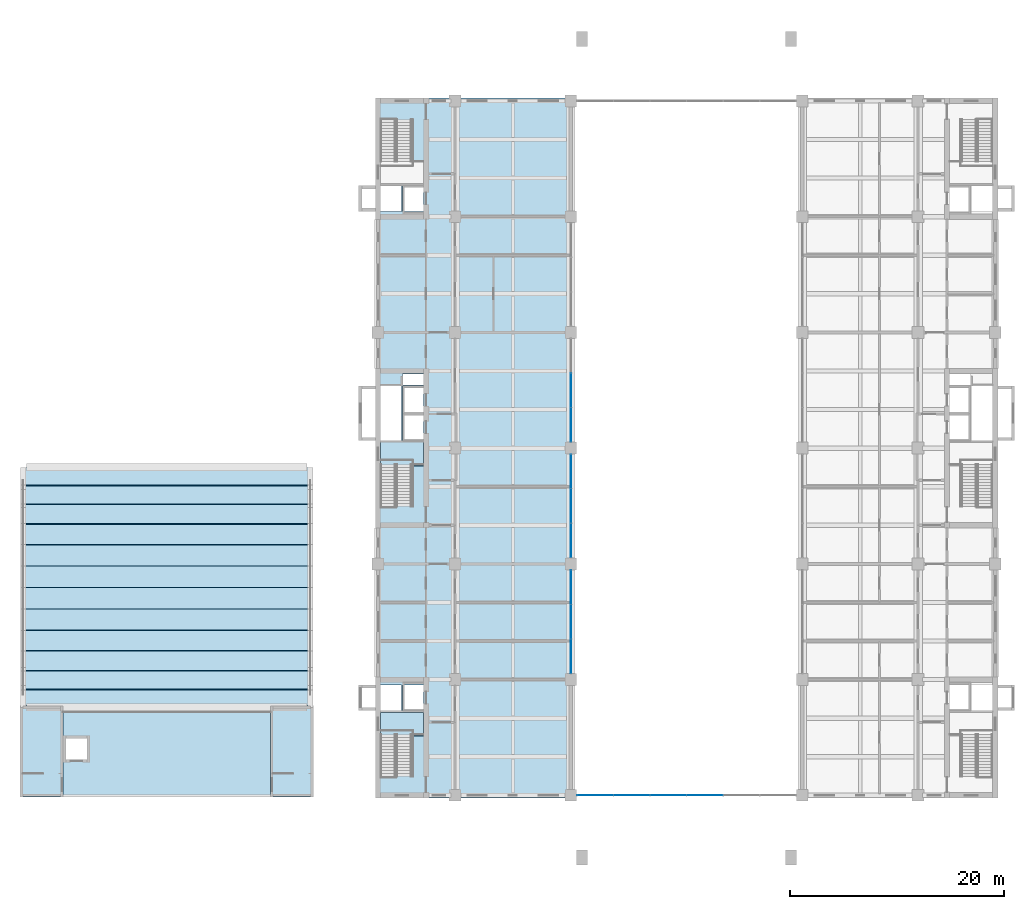
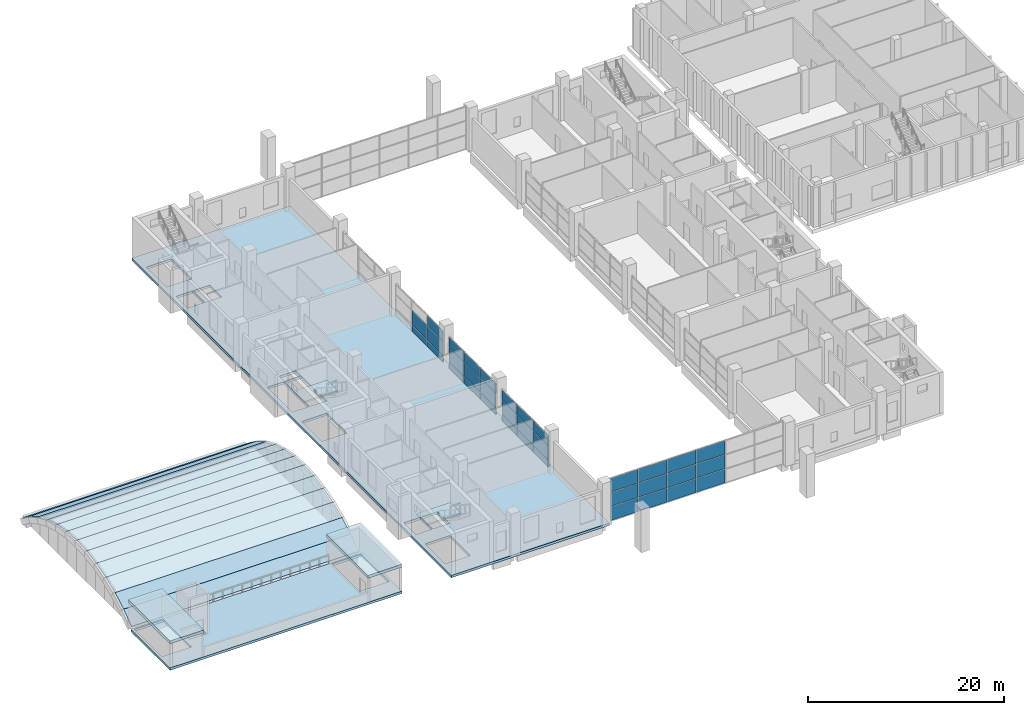
# One storey, part 13 of 32: 35 plates, 18 slabs, 6 elements without a shape of their own.
"""IFC4 building model written with IfcOpenShell, lengths in metres."""

from ifc_helpers import new_model, si_unit, direction, frame, origin, origin_2d, place, context, subcontext, project, spatial, polyline, rectangle, outline, extrude, material, layer, layer_set, type_object, element, aggregate, save


model = new_model("IFC4")

# Units and contexts
model_context = context("Model", 3, precision=1e-05, world=origin(), true_north=direction((0.0, 1.0)))
body_context = subcontext(model_context, "Body", "Model", "MODEL_VIEW")
ifc_project = project(units=[si_unit("LENGTHUNIT", "METRE"), si_unit("AREAUNIT", "SQUARE_METRE"), si_unit("VOLUMEUNIT", "CUBIC_METRE"), si_unit("PLANEANGLEUNIT", "RADIAN"), si_unit("MASSUNIT", "GRAM", prefix="KILO")], contexts=[model_context])

# Site, building, storey
site_placement = place(None, origin())
site = spatial("IfcSite", under=ifc_project, at=site_placement, CompositionType="ELEMENT")
building_placement = place(site_placement, origin())
building = spatial("IfcBuilding", under=site, at=building_placement, Name="Basin Gate Institute", CompositionType="ELEMENT")
storey_placement = place(building_placement, frame((0.0, 0.0, 11.39990234375)))
storey = spatial("IfcBuildingStorey", under=building, at=storey_placement, Name="L02", CompositionType="ELEMENT", Elevation=11.39990234375)

# Curtain wall, plates
ifc_material_1 = material(Name="Aluminium and glass curtain wall", Category="aluminium")
ifc_layer_1 = layer(ifc_material_1, 0.14990234375)
ifc_layer_set_1 = layer_set([ifc_layer_1], Name="Atrium curtain wall CW81")
curtain_wall_type_1 = type_object("IfcCurtainWallType", Name="Atrium curtain wall CW81", PredefinedType="NOTDEFINED", material=ifc_layer_set_1)
curtain_wall_1_placement = place(storey_placement, origin())
curtain_wall_1 = element("IfcCurtainWall", 1, at=curtain_wall_1_placement, inside=storey, type_object=curtain_wall_type_1, material=ifc_layer_set_1, Name="Atrium end screen S L02", PredefinedType="NOTDEFINED")
ifc_material_2 = material(Name="Toughened glass", Category="glass")
ifc_layer_2 = layer(ifc_material_2, 0.028076171875)
ifc_layer_set_2 = layer_set([ifc_layer_2], Name="Atrium glass panel PN81")
plate_type_1 = type_object("IfcPlateType", Name="Atrium glass panel PN81", PredefinedType="CURTAIN_PANEL", material=ifc_layer_set_2)
plate_1_placement = place(storey_placement, frame((81.473388671875, 35.10009765625, 0.06005859375), z_axis=(0.0, 0.0, 1.0), x_axis=(1.0, 0.0, 0.0)))
plate_1 = element("IfcPlate", 2, at=plate_1_placement, type_object=plate_type_1, material=ifc_layer_set_2, Name="CW81 panel 1.1", PredefinedType="CURTAIN_PANEL", context=body_context, shape_type="SweptSolid", body=[
    extrude(rectangle(XDim=3.32666015625, YDim=0.028076171875, at=origin_2d()), origin(), (0.0, 0.0, 1.0), 1.7099609375),
])
plate_2_placement = place(storey_placement, frame((81.473388671875, 35.10009765625, 1.830078125), z_axis=(0.0, 0.0, 1.0), x_axis=(1.0, 0.0, 0.0)))
plate_2 = element("IfcPlate", 3, at=plate_2_placement, type_object=plate_type_1, material=ifc_layer_set_2, Name="CW81 panel 1.2", PredefinedType="CURTAIN_PANEL", context=body_context, shape_type="SweptSolid", body=[
    extrude(rectangle(XDim=3.32666015625, YDim=0.028076171875, at=origin_2d()), origin(), (0.0, 0.0, 1.0), 1.739990234375),
])
plate_3_placement = place(storey_placement, frame((81.473388671875, 35.10009765625, 3.630126953125), z_axis=(0.0, 0.0, 1.0), x_axis=(1.0, 0.0, 0.0)))
plate_3 = element("IfcPlate", 4, at=plate_3_placement, type_object=plate_type_1, material=ifc_layer_set_2, Name="CW81 panel 1.3", PredefinedType="CURTAIN_PANEL", context=body_context, shape_type="SweptSolid", body=[
    extrude(rectangle(XDim=3.32666015625, YDim=0.028076171875, at=origin_2d()), origin(), (0.0, 0.0, 1.0), 1.7099609375),
])
plate_4_placement = place(storey_placement, frame((84.875, 35.10009765625, 0.06005859375), z_axis=(0.0, 0.0, 1.0), x_axis=(1.0, 0.0, 0.0)))
plate_4 = element("IfcPlate", 5, at=plate_4_placement, type_object=plate_type_1, material=ifc_layer_set_2, Name="CW81 panel 2.1", PredefinedType="CURTAIN_PANEL", context=body_context, shape_type="SweptSolid", body=[
    extrude(rectangle(XDim=3.356689453125, YDim=0.028076171875, at=origin_2d()), origin(), (0.0, 0.0, 1.0), 1.7099609375),
])
plate_5_placement = place(storey_placement, frame((84.875, 35.10009765625, 1.830078125), z_axis=(0.0, 0.0, 1.0), x_axis=(1.0, 0.0, 0.0)))
plate_5 = element("IfcPlate", 6, at=plate_5_placement, type_object=plate_type_1, material=ifc_layer_set_2, Name="CW81 panel 2.2", PredefinedType="CURTAIN_PANEL", context=body_context, shape_type="SweptSolid", body=[
    extrude(rectangle(XDim=3.356689453125, YDim=0.028076171875, at=origin_2d()), origin(), (0.0, 0.0, 1.0), 1.739990234375),
])
plate_6_placement = place(storey_placement, frame((84.875, 35.10009765625, 3.630126953125), z_axis=(0.0, 0.0, 1.0), x_axis=(1.0, 0.0, 0.0)))
plate_6 = element("IfcPlate", 7, at=plate_6_placement, type_object=plate_type_1, material=ifc_layer_set_2, Name="CW81 panel 2.3", PredefinedType="CURTAIN_PANEL", context=body_context, shape_type="SweptSolid", body=[
    extrude(rectangle(XDim=3.356689453125, YDim=0.028076171875, at=origin_2d()), origin(), (0.0, 0.0, 1.0), 1.7099609375),
])
plate_7_placement = place(storey_placement, frame((88.291748046875, 35.10009765625, 0.06005859375), z_axis=(0.0, 0.0, 1.0), x_axis=(1.0, 0.0, 0.0)))
plate_7 = element("IfcPlate", 8, at=plate_7_placement, type_object=plate_type_1, material=ifc_layer_set_2, Name="CW81 panel 3.1", PredefinedType="CURTAIN_PANEL", context=body_context, shape_type="SweptSolid", body=[
    extrude(rectangle(XDim=3.356689453125, YDim=0.028076171875, at=origin_2d()), origin(), (0.0, 0.0, 1.0), 1.7099609375),
])
plate_8_placement = place(storey_placement, frame((88.291748046875, 35.10009765625, 1.830078125), z_axis=(0.0, 0.0, 1.0), x_axis=(1.0, 0.0, 0.0)))
plate_8 = element("IfcPlate", 9, at=plate_8_placement, type_object=plate_type_1, material=ifc_layer_set_2, Name="CW81 panel 3.2", PredefinedType="CURTAIN_PANEL", context=body_context, shape_type="SweptSolid", body=[
    extrude(rectangle(XDim=3.356689453125, YDim=0.028076171875, at=origin_2d()), origin(), (0.0, 0.0, 1.0), 1.739990234375),
])
plate_9_placement = place(storey_placement, frame((88.291748046875, 35.10009765625, 3.630126953125), z_axis=(0.0, 0.0, 1.0), x_axis=(1.0, 0.0, 0.0)))
plate_9 = element("IfcPlate", 10, at=plate_9_placement, type_object=plate_type_1, material=ifc_layer_set_2, Name="CW81 panel 3.3", PredefinedType="CURTAIN_PANEL", context=body_context, shape_type="SweptSolid", body=[
    extrude(rectangle(XDim=3.356689453125, YDim=0.028076171875, at=origin_2d()), origin(), (0.0, 0.0, 1.0), 1.7099609375),
])
plate_10_placement = place(storey_placement, frame((91.708251953125, 35.10009765625, 0.06005859375), z_axis=(0.0, 0.0, 1.0), x_axis=(1.0, 0.0, 0.0)))
plate_10 = element("IfcPlate", 11, at=plate_10_placement, type_object=plate_type_1, material=ifc_layer_set_2, Name="CW81 panel 4.1", PredefinedType="CURTAIN_PANEL", context=body_context, shape_type="SweptSolid", body=[
    extrude(rectangle(XDim=3.356689453125, YDim=0.028076171875, at=origin_2d()), origin(), (0.0, 0.0, 1.0), 1.7099609375),
])
plate_11_placement = place(storey_placement, frame((91.708251953125, 35.10009765625, 1.830078125), z_axis=(0.0, 0.0, 1.0), x_axis=(1.0, 0.0, 0.0)))
plate_11 = element("IfcPlate", 12, at=plate_11_placement, type_object=plate_type_1, material=ifc_layer_set_2, Name="CW81 panel 4.2", PredefinedType="CURTAIN_PANEL", context=body_context, shape_type="SweptSolid", body=[
    extrude(rectangle(XDim=3.356689453125, YDim=0.028076171875, at=origin_2d()), origin(), (0.0, 0.0, 1.0), 1.739990234375),
])
plate_12_placement = place(storey_placement, frame((91.708251953125, 35.10009765625, 3.630126953125), z_axis=(0.0, 0.0, 1.0), x_axis=(1.0, 0.0, 0.0)))
plate_12 = element("IfcPlate", 13, at=plate_12_placement, type_object=plate_type_1, material=ifc_layer_set_2, Name="CW81 panel 4.3", PredefinedType="CURTAIN_PANEL", context=body_context, shape_type="SweptSolid", body=[
    extrude(rectangle(XDim=3.356689453125, YDim=0.028076171875, at=origin_2d()), origin(), (0.0, 0.0, 1.0), 1.7099609375),
])
aggregate(curtain_wall_1, [plate_1, plate_2, plate_3, plate_4, plate_5, plate_6, plate_7, plate_8, plate_9, plate_10, plate_11, plate_12])

# Slabs
ifc_material_3 = material(Name="Concrete 40 MPa", Category="concrete")
ifc_layer_3 = layer(ifc_material_3, 0.14990234375)
ifc_layer_set_3 = layer_set([ifc_layer_3], Name="Concrete 40 MPa")
slab_type_1 = type_object("IfcSlabType", Name="Barrel shell strip SH2 R180", PredefinedType="ROOF", material=ifc_layer_set_3)
slab_1_placement = place(storey_placement, frame((28.10009765625, 43.300048828125, 0.0), z_axis=(0.0, -0.588437435236, 0.808542753856), x_axis=(0.0, 0.808542753856, 0.588437435236)))
element("IfcSlab", 14, at=slab_1_placement, inside=storey, type_object=slab_type_1, material=ifc_layer_set_3, Name="Theatre shell strip 1", PredefinedType="ROOF", context=body_context, shape_type="SweptSolid", body=[
    extrude(outline(polyline([(0.0, 0.0), (2.020960790671894, 0.0), (2.020960790671894, -26.7998046875), (0.0, -26.7998046875), (0.0, 0.0)])), origin(), (0.0, 0.0, -1.0), 0.14990234375),
])
slab_2_placement = place(storey_placement, frame((28.10009765625, 44.93408203125, 1.189208984375), z_axis=(0.0, -0.491929835255, 0.870634847215), x_axis=(0.0, 0.870634847215, 0.491929835255)))
element("IfcSlab", 15, at=slab_2_placement, inside=storey, type_object=slab_type_1, material=ifc_layer_set_3, Name="Theatre shell strip 2", PredefinedType="ROOF", context=body_context, shape_type="SweptSolid", body=[
    extrude(outline(polyline([(0.0, 0.0), (2.0204029378688753, 0.0), (2.0204029378688753, -26.7998046875), (0.0, -26.7998046875), (0.0, 0.0)])), origin(), (0.0, 0.0, -1.0), 0.14990234375),
])
slab_3_placement = place(storey_placement, frame((28.10009765625, 46.693115234375, 2.18310546875), z_axis=(0.0, -0.389569035673, 0.920997267338), x_axis=(0.0, 0.920997267338, 0.389569035673)))
element("IfcSlab", 16, at=slab_3_placement, inside=storey, type_object=slab_type_1, material=ifc_layer_set_3, Name="Theatre shell strip 3", PredefinedType="ROOF", context=body_context, shape_type="SweptSolid", body=[
    extrude(outline(polyline([(0.0, 0.0), (2.0204618512361017, 0.0), (2.0204618512361017, -26.7998046875), (0.0, -26.7998046875), (0.0, 0.0)])), origin(), (0.0, 0.0, -1.0), 0.14990234375),
])
slab_4_placement = place(storey_placement, frame((28.10009765625, 48.553955078125, 2.97021484375), z_axis=(0.0, -0.28208780238, 0.959388592672), x_axis=(0.0, 0.959388592672, 0.28208780238)))
element("IfcSlab", 17, at=slab_4_placement, inside=storey, type_object=slab_type_1, material=ifc_layer_set_3, Name="Theatre shell strip 4", PredefinedType="ROOF", context=body_context, shape_type="SweptSolid", body=[
    extrude(outline(polyline([(0.0, 0.0), (2.0200243113726075, 0.0), (2.0200243113726075, -26.799804687500007), (0.0, -26.799804687500007), (0.0, 0.0)])), origin(), (0.0, 0.0, -1.0), 0.14990234375),
])
slab_5_placement = place(storey_placement, frame((28.10009765625, 50.491943359375, 3.5400390625), z_axis=(0.0, -0.170724163357, 0.985318862118), x_axis=(0.0, 0.985318862118, 0.170724163357)))
element("IfcSlab", 18, at=slab_5_placement, inside=storey, type_object=slab_type_1, material=ifc_layer_set_3, Name="Theatre shell strip 5", PredefinedType="ROOF", context=body_context, shape_type="SweptSolid", body=[
    extrude(outline(polyline([(0.0, 0.0), (2.0206319734858336, 0.0), (2.0206319734858336, -26.799804687500007), (0.0, -26.799804687500007), (0.0, 0.0)])), origin(), (0.0, 0.0, -1.0), 0.14990234375),
])
for number, where, z_axis, x_axis, name in (
    (19, (28.10009765625, 52.48291015625, 3.885009765625), (0.0, -0.056915578127, 0.998378994654), (0.0, 0.998378994654, 0.056915578127), "Theatre shell strip 6"),
    (20, (28.10009765625, 54.5, 4.0), (0.0, 0.056915578127, 0.998378994654), (0.0, 0.998378994654, -0.056915578127), "Theatre shell strip 7"),
):
    element("IfcSlab", number, at=place(storey_placement, frame(where, z_axis=z_axis, x_axis=x_axis)), inside=storey, type_object=slab_type_1, material=ifc_layer_set_3, Name=name, PredefinedType="ROOF", context=body_context, shape_type="SweptSolid", body=[
        extrude(outline(polyline([(0.0, 0.0), (2.0203648659984705, 0.0), (2.0203648659984705, -26.799804687500007), (0.0, -26.799804687500007), (0.0, 0.0)])), origin(), (0.0, 0.0, -1.0), 0.14990234375),
    ])
slab_6_placement = place(storey_placement, frame((28.10009765625, 56.51708984375, 3.885009765625), z_axis=(0.0, 0.170724163357, 0.985318862118), x_axis=(0.0, 0.985318862118, -0.170724163357)))
element("IfcSlab", 21, at=slab_6_placement, inside=storey, type_object=slab_type_1, material=ifc_layer_set_3, Name="Theatre shell strip 8", PredefinedType="ROOF", context=body_context, shape_type="SweptSolid", body=[
    extrude(outline(polyline([(0.0, 0.0), (2.0206319734858336, 0.0), (2.0206319734858336, -26.799804687500007), (0.0, -26.799804687500007), (0.0, 0.0)])), origin(), (0.0, 0.0, -1.0), 0.14990234375),
])
slab_7_placement = place(storey_placement, frame((28.10009765625, 58.508056640625, 3.5400390625), z_axis=(0.0, 0.28208780238, 0.959388592672), x_axis=(0.0, 0.959388592672, -0.28208780238)))
element("IfcSlab", 22, at=slab_7_placement, inside=storey, type_object=slab_type_1, material=ifc_layer_set_3, Name="Theatre shell strip 9", PredefinedType="ROOF", context=body_context, shape_type="SweptSolid", body=[
    extrude(outline(polyline([(0.0, 0.0), (2.0200243113726075, 0.0), (2.0200243113726075, -26.799804687500007), (0.0, -26.799804687500007), (0.0, 0.0)])), origin(), (0.0, 0.0, -1.0), 0.14990234375),
])
slab_8_placement = place(storey_placement, frame((28.10009765625, 60.446044921875, 2.97021484375), z_axis=(0.0, 0.389569035673, 0.920997267338), x_axis=(0.0, 0.920997267338, -0.389569035673)))
element("IfcSlab", 23, at=slab_8_placement, inside=storey, type_object=slab_type_1, material=ifc_layer_set_3, Name="Theatre shell strip 10", PredefinedType="ROOF", context=body_context, shape_type="SweptSolid", body=[
    extrude(outline(polyline([(0.0, 0.0), (2.0204618512361017, 0.0), (2.0204618512361017, -26.7998046875), (0.0, -26.7998046875), (0.0, 0.0)])), origin(), (0.0, 0.0, -1.0), 0.14990234375),
])
slab_9_placement = place(storey_placement, frame((28.10009765625, 62.306884765625, 2.18310546875), z_axis=(0.0, 0.491929835255, 0.870634847215), x_axis=(0.0, 0.870634847215, -0.491929835255)))
element("IfcSlab", 24, at=slab_9_placement, inside=storey, type_object=slab_type_1, material=ifc_layer_set_3, Name="Theatre shell strip 11", PredefinedType="ROOF", context=body_context, shape_type="SweptSolid", body=[
    extrude(outline(polyline([(0.0, 0.0), (2.0204029378688753, 0.0), (2.0204029378688753, -26.7998046875), (0.0, -26.7998046875), (0.0, 0.0)])), origin(), (0.0, 0.0, -1.0), 0.14990234375),
])
slab_10_placement = place(storey_placement, frame((28.10009765625, 64.06591796875, 1.189208984375), z_axis=(0.0, 0.588437435236, 0.808542753856), x_axis=(0.0, 0.808542753856, -0.588437435236)))
element("IfcSlab", 25, at=slab_10_placement, inside=storey, type_object=slab_type_1, material=ifc_layer_set_3, Name="Theatre shell strip 12", PredefinedType="ROOF", context=body_context, shape_type="SweptSolid", body=[
    extrude(outline(polyline([(0.0, 0.0), (2.020960790671894, 0.0), (2.020960790671894, -26.7998046875), (0.0, -26.7998046875), (0.0, 0.0)])), origin(), (0.0, 0.0, -1.0), 0.14990234375),
])
ifc_material_4 = material(Name="Concrete 40 MPa", Category="concrete")
ifc_layer_4 = layer(ifc_material_4, 0.35009765625)
ifc_layer_set_4 = layer_set([ifc_layer_4], Name="Concrete 40 MPa")
slab_type_2 = type_object("IfcSlabType", Name="Slab RS72 R180", PredefinedType="ROOF", material=ifc_layer_set_4)
slab_11_placement = place(storey_placement, frame((0.0, 0.0, 3.0)))
element("IfcSlab", 26, at=slab_11_placement, inside=storey, type_object=slab_type_2, material=ifc_layer_set_4, Name="Roof stair head house W roof slab", PredefinedType="ROOF", context=body_context, shape_type="SweptSolid", body=[
    extrude(outline(polyline([(27.800048828125, 34.949951171875), (31.824951171875, 34.949951171875), (31.824951171875, 43.506103515625), (27.800048828125, 43.506103515625), (27.800048828125, 34.949951171875)])), origin(), (0.0, 0.0, 1.0), 0.35009765625),
])
slab_12_placement = place(storey_placement, frame((0.0, 0.0, 3.0)))
element("IfcSlab", 27, at=slab_12_placement, inside=storey, type_object=slab_type_2, material=ifc_layer_set_4, Name="Roof stair head house E roof slab", PredefinedType="ROOF", context=body_context, shape_type="SweptSolid", body=[
    extrude(outline(polyline([(51.175048828125, 34.949951171875), (55.199951171875, 34.949951171875), (55.199951171875, 43.506103515625), (51.175048828125, 43.506103515625), (51.175048828125, 34.949951171875)])), origin(), (0.0, 0.0, 1.0), 0.35009765625),
])
ifc_material_5 = material(Name="Concrete 40 MPa", Category="concrete")
ifc_layer_5 = layer(ifc_material_5, 0.300048828125)
ifc_layer_set_5 = layer_set([ifc_layer_5], Name="Concrete 40 MPa")
slab_type_3 = type_object("IfcSlabType", Name="Slab RS73 R180", PredefinedType="ROOF", material=ifc_layer_set_5)
slab_13_placement = place(storey_placement, frame((0.0, 0.0, -0.2998046875)))
element("IfcSlab", 28, at=slab_13_placement, inside=storey, type_object=slab_type_3, material=ifc_layer_set_5, Name="Theatre roof garden slab R180 L02", PredefinedType="ROOF", context=body_context, shape_type="SweptSolid", body=[
    extrude(outline(polyline([(27.800048828125, 42.945068359375), (27.800048828125, 34.949951171875), (55.199951171875, 34.949951171875), (55.199951171875, 42.945068359375), (27.800048828125, 42.945068359375)]), holes=[polyline([(32.074951171875, 38.425048828125), (32.074951171875, 40.425048828125), (34.074951171875, 40.425048828125), (34.074951171875, 38.425048828125), (32.074951171875, 38.425048828125)]), polyline([(28.10009765625, 42.75), (31.574951171875, 42.75), (31.574951171875, 37.1201171875), (28.10009765625, 37.1201171875), (28.10009765625, 42.75)]), polyline([(51.425048828125, 42.75), (54.89990234375, 42.75), (54.89990234375, 37.1201171875), (51.425048828125, 37.1201171875), (51.425048828125, 42.75)])]), origin(), (0.0, 0.0, 1.0), 0.2998046875),
])
ifc_material_6 = material(Name="Concrete 40 MPa", Category="concrete")
ifc_layer_6 = layer(ifc_material_6, 0.300048828125)
ifc_layer_set_6 = layer_set([ifc_layer_6], Name="Concrete 40 MPa")
slab_type_4 = type_object("IfcSlabType", Name="Slab SL3 R180", PredefinedType="FLOOR", material=ifc_layer_set_6)
slab_14_placement = place(storey_placement, frame((0.0, 0.0, -0.2998046875)))
element("IfcSlab", 29, at=slab_14_placement, inside=storey, type_object=slab_type_4, material=ifc_layer_set_6, Name="SLAB/L02/W", PredefinedType="FLOOR", context=body_context, shape_type="SweptSolid", body=[
    extrude(outline(polyline([(60.949951171875, 34.85009765625), (79.60009765625, 34.85009765625), (79.60009765625, 100.14990234375), (60.949951171875, 100.14990234375), (60.949951171875, 34.85009765625)]), holes=[polyline([(61.449951171875, 36.969970703125), (64.39990234375, 36.969970703125), (64.39990234375, 41.070068359375), (61.449951171875, 41.070068359375), (61.449951171875, 36.969970703125)]), polyline([(61.449951171875, 62.169921875), (64.39990234375, 62.169921875), (64.39990234375, 66.27001953125), (61.449951171875, 66.27001953125), (61.449951171875, 62.169921875)]), polyline([(61.449951171875, 93.929931640625), (64.39990234375, 93.929931640625), (64.39990234375, 98.030029296875), (61.449951171875, 98.030029296875), (61.449951171875, 93.929931640625)]), polyline([(61.449951171875, 43.0), (63.39990234375, 43.0), (63.39990234375, 45.39990234375), (61.449951171875, 45.39990234375), (61.449951171875, 43.0)]), polyline([(61.449951171875, 68.199951171875), (63.39990234375, 68.199951171875), (63.39990234375, 73.300048828125), (61.449951171875, 73.300048828125), (61.449951171875, 68.199951171875)]), polyline([(63.5, 73.39990234375), (65.449951171875, 73.39990234375), (65.449951171875, 74.39990234375), (63.5, 74.39990234375), (63.5, 73.39990234375)]), polyline([(61.449951171875, 89.60009765625), (63.39990234375, 89.60009765625), (63.39990234375, 92.0), (61.449951171875, 92.0), (61.449951171875, 89.60009765625)]), polyline([(63.5, 43.0), (65.449951171875, 43.0), (65.449951171875, 45.39990234375), (63.5, 45.39990234375), (63.5, 43.0)]), polyline([(65.449951171875, 68.199951171875), (63.5, 68.199951171875), (63.5, 73.300048828125), (65.449951171875, 73.300048828125), (65.449951171875, 68.199951171875)]), polyline([(63.5, 89.60009765625), (65.449951171875, 89.60009765625), (65.449951171875, 92.0), (63.5, 92.0), (63.5, 89.60009765625)])]), origin(), (0.0, 0.0, 1.0), 0.2998046875),
])

# Curtain wall, plates
ifc_material_7 = material(Name="Fire-resistant glazing in steel-free frame", Category="steel")
ifc_layer_7 = layer(ifc_material_7, 0.199951171875)
ifc_layer_set_7 = layer_set([ifc_layer_7], Name="Fire-resistant glazing in steel-free frame")
curtain_wall_type_2 = type_object("IfcCurtainWallType", Name="Atrium rated curtain wall CW3", PredefinedType="NOTDEFINED", material=ifc_layer_set_7)
curtain_wall_2_placement = place(storey_placement, origin())
curtain_wall_2 = element("IfcCurtainWall", 30, at=curtain_wall_2_placement, inside=storey, type_object=curtain_wall_type_2, material=ifc_layer_set_7, Name="Atrium rated curtain wall W wing atrium bay 2 L02", PredefinedType="NOTDEFINED")
ifc_material_8 = material(Name="Fire-resisting board panel")
ifc_layer_8 = layer(ifc_material_8, 0.050048828125)
ifc_layer_set_8 = layer_set([ifc_layer_8], Name="Spandrel panel PN4")
plate_type_2 = type_object("IfcPlateType", Name="Spandrel panel PN4", PredefinedType="CURTAIN_PANEL", material=ifc_layer_set_8)
plate_13_placement = place(storey_placement, frame((79.199951171875, 48.081787109375, 0.06005859375), z_axis=(0.0, 0.0, 1.0), x_axis=(0.0, 1.0, 0.0)))
plate_13 = element("IfcPlate", 31, at=plate_13_placement, type_object=plate_type_2, material=ifc_layer_set_8, Name="CW3 spandrel panel 1.1", PredefinedType="CURTAIN_PANEL", context=body_context, shape_type="SweptSolid", body=[
    extrude(rectangle(XDim=3.143310546875, YDim=0.050048828125, at=origin_2d()), origin(), (0.0, 0.0, 1.0), 0.81005859375),
])
plate_14_placement = place(storey_placement, frame((79.199951171875, 48.081787109375, 2.730224609375), z_axis=(0.0, 0.0, 1.0), x_axis=(0.0, 1.0, 0.0)))
plate_14 = element("IfcPlate", 32, at=plate_14_placement, type_object=plate_type_2, material=ifc_layer_set_8, Name="CW3 spandrel panel 1.3", PredefinedType="CURTAIN_PANEL", context=body_context, shape_type="SweptSolid", body=[
    extrude(rectangle(XDim=3.143310546875, YDim=0.050048828125, at=origin_2d()), origin(), (0.0, 0.0, 1.0), 1.2099609375),
])
plate_15_placement = place(storey_placement, frame((79.199951171875, 51.300048828125, 0.06005859375), z_axis=(0.0, 0.0, 1.0), x_axis=(0.0, 1.0, 0.0)))
plate_15 = element("IfcPlate", 33, at=plate_15_placement, type_object=plate_type_2, material=ifc_layer_set_8, Name="CW3 spandrel panel 2.1", PredefinedType="CURTAIN_PANEL", context=body_context, shape_type="SweptSolid", body=[
    extrude(rectangle(XDim=3.17333984375, YDim=0.050048828125, at=origin_2d()), origin(), (0.0, 0.0, 1.0), 0.81005859375),
])
plate_16_placement = place(storey_placement, frame((79.199951171875, 51.300048828125, 2.730224609375), z_axis=(0.0, 0.0, 1.0), x_axis=(0.0, 1.0, 0.0)))
plate_16 = element("IfcPlate", 34, at=plate_16_placement, type_object=plate_type_2, material=ifc_layer_set_8, Name="CW3 spandrel panel 2.3", PredefinedType="CURTAIN_PANEL", context=body_context, shape_type="SweptSolid", body=[
    extrude(rectangle(XDim=3.17333984375, YDim=0.050048828125, at=origin_2d()), origin(), (0.0, 0.0, 1.0), 1.2099609375),
])
plate_17_placement = place(storey_placement, frame((79.199951171875, 54.518310546875, 0.06005859375), z_axis=(0.0, 0.0, 1.0), x_axis=(0.0, 1.0, 0.0)))
plate_17 = element("IfcPlate", 35, at=plate_17_placement, type_object=plate_type_2, material=ifc_layer_set_8, Name="CW3 spandrel panel 3.1", PredefinedType="CURTAIN_PANEL", context=body_context, shape_type="SweptSolid", body=[
    extrude(rectangle(XDim=3.143310546875, YDim=0.050048828125, at=origin_2d()), origin(), (0.0, 0.0, 1.0), 0.81005859375),
])
plate_18_placement = place(storey_placement, frame((79.199951171875, 54.518310546875, 2.730224609375), z_axis=(0.0, 0.0, 1.0), x_axis=(0.0, 1.0, 0.0)))
plate_18 = element("IfcPlate", 36, at=plate_18_placement, type_object=plate_type_2, material=ifc_layer_set_8, Name="CW3 spandrel panel 3.3", PredefinedType="CURTAIN_PANEL", context=body_context, shape_type="SweptSolid", body=[
    extrude(rectangle(XDim=3.143310546875, YDim=0.050048828125, at=origin_2d()), origin(), (0.0, 0.0, 1.0), 1.2099609375),
])

curtain_wall_3_placement = place(storey_placement, origin())
curtain_wall_3 = element("IfcCurtainWall", 37, at=curtain_wall_3_placement, inside=storey, type_object=curtain_wall_type_2, material=ifc_layer_set_7, Name="Atrium rated curtain wall W wing atrium bay 3 L02", PredefinedType="NOTDEFINED")
plate_19_placement = place(storey_placement, frame((79.199951171875, 58.881591796875, 0.06005859375), z_axis=(0.0, 0.0, 1.0), x_axis=(0.0, 1.0, 0.0)))
plate_19 = element("IfcPlate", 38, at=plate_19_placement, type_object=plate_type_2, material=ifc_layer_set_8, Name="CW3 spandrel panel 1.1", PredefinedType="CURTAIN_PANEL", context=body_context, shape_type="SweptSolid", body=[
    extrude(rectangle(XDim=3.143310546875, YDim=0.050048828125, at=origin_2d()), origin(), (0.0, 0.0, 1.0), 0.81005859375),
])
plate_20_placement = place(storey_placement, frame((79.199951171875, 58.881591796875, 2.730224609375), z_axis=(0.0, 0.0, 1.0), x_axis=(0.0, 1.0, 0.0)))
plate_20 = element("IfcPlate", 39, at=plate_20_placement, type_object=plate_type_2, material=ifc_layer_set_8, Name="CW3 spandrel panel 1.3", PredefinedType="CURTAIN_PANEL", context=body_context, shape_type="SweptSolid", body=[
    extrude(rectangle(XDim=3.143310546875, YDim=0.050048828125, at=origin_2d()), origin(), (0.0, 0.0, 1.0), 1.2099609375),
])
plate_21_placement = place(storey_placement, frame((79.199951171875, 62.10009765625, 0.06005859375), z_axis=(0.0, 0.0, 1.0), x_axis=(0.0, 1.0, 0.0)))
plate_21 = element("IfcPlate", 40, at=plate_21_placement, type_object=plate_type_2, material=ifc_layer_set_8, Name="CW3 spandrel panel 2.1", PredefinedType="CURTAIN_PANEL", context=body_context, shape_type="SweptSolid", body=[
    extrude(rectangle(XDim=3.17333984375, YDim=0.050048828125, at=origin_2d()), origin(), (0.0, 0.0, 1.0), 0.81005859375),
])
plate_22_placement = place(storey_placement, frame((79.199951171875, 62.10009765625, 2.730224609375), z_axis=(0.0, 0.0, 1.0), x_axis=(0.0, 1.0, 0.0)))
plate_22 = element("IfcPlate", 41, at=plate_22_placement, type_object=plate_type_2, material=ifc_layer_set_8, Name="CW3 spandrel panel 2.3", PredefinedType="CURTAIN_PANEL", context=body_context, shape_type="SweptSolid", body=[
    extrude(rectangle(XDim=3.17333984375, YDim=0.050048828125, at=origin_2d()), origin(), (0.0, 0.0, 1.0), 1.2099609375),
])
plate_23_placement = place(storey_placement, frame((79.199951171875, 65.318359375, 0.06005859375), z_axis=(0.0, 0.0, 1.0), x_axis=(0.0, 1.0, 0.0)))
plate_23 = element("IfcPlate", 42, at=plate_23_placement, type_object=plate_type_2, material=ifc_layer_set_8, Name="CW3 spandrel panel 3.1", PredefinedType="CURTAIN_PANEL", context=body_context, shape_type="SweptSolid", body=[
    extrude(rectangle(XDim=3.143310546875, YDim=0.050048828125, at=origin_2d()), origin(), (0.0, 0.0, 1.0), 0.81005859375),
])
plate_24_placement = place(storey_placement, frame((79.199951171875, 65.318359375, 2.730224609375), z_axis=(0.0, 0.0, 1.0), x_axis=(0.0, 1.0, 0.0)))
plate_24 = element("IfcPlate", 43, at=plate_24_placement, type_object=plate_type_2, material=ifc_layer_set_8, Name="CW3 spandrel panel 3.3", PredefinedType="CURTAIN_PANEL", context=body_context, shape_type="SweptSolid", body=[
    extrude(rectangle(XDim=3.143310546875, YDim=0.050048828125, at=origin_2d()), origin(), (0.0, 0.0, 1.0), 1.2099609375),
])

curtain_wall_4_placement = place(storey_placement, origin())
curtain_wall_4 = element("IfcCurtainWall", 44, at=curtain_wall_4_placement, inside=storey, type_object=curtain_wall_type_2, material=ifc_layer_set_7, Name="Atrium rated curtain wall W wing atrium bay 4 L02", PredefinedType="NOTDEFINED")
plate_25_placement = place(storey_placement, frame((79.199951171875, 69.681640625, 0.06005859375), z_axis=(0.0, 0.0, 1.0), x_axis=(0.0, 1.0, 0.0)))
plate_25 = element("IfcPlate", 45, at=plate_25_placement, type_object=plate_type_2, material=ifc_layer_set_8, Name="CW3 spandrel panel 1.1", PredefinedType="CURTAIN_PANEL", context=body_context, shape_type="SweptSolid", body=[
    extrude(rectangle(XDim=3.143310546875, YDim=0.050048828125, at=origin_2d()), origin(), (0.0, 0.0, 1.0), 0.81005859375),
])
plate_26_placement = place(storey_placement, frame((79.199951171875, 69.681640625, 2.730224609375), z_axis=(0.0, 0.0, 1.0), x_axis=(0.0, 1.0, 0.0)))
plate_26 = element("IfcPlate", 46, at=plate_26_placement, type_object=plate_type_2, material=ifc_layer_set_8, Name="CW3 spandrel panel 1.3", PredefinedType="CURTAIN_PANEL", context=body_context, shape_type="SweptSolid", body=[
    extrude(rectangle(XDim=3.143310546875, YDim=0.050048828125, at=origin_2d()), origin(), (0.0, 0.0, 1.0), 1.2099609375),
])
plate_27_placement = place(storey_placement, frame((79.199951171875, 72.89990234375, 0.06005859375), z_axis=(0.0, 0.0, 1.0), x_axis=(0.0, 1.0, 0.0)))
plate_27 = element("IfcPlate", 47, at=plate_27_placement, type_object=plate_type_2, material=ifc_layer_set_8, Name="CW3 spandrel panel 2.1", PredefinedType="CURTAIN_PANEL", context=body_context, shape_type="SweptSolid", body=[
    extrude(rectangle(XDim=3.17333984375, YDim=0.050048828125, at=origin_2d()), origin(), (0.0, 0.0, 1.0), 0.81005859375),
])

# Stair, slab
ifc_material_9 = material(Name="Concrete 40 MPa", Category="concrete")
stair_type = type_object("IfcStairType", Name="Stair ST", PredefinedType="HALF_TURN_STAIR", material=ifc_material_9)
stair_1_placement = place(storey_placement, origin())
stair_1 = element("IfcStair", 48, at=stair_1_placement, inside=storey, type_object=stair_type, material=ifc_material_9, Name="Special safe stair ST-WS L02", PredefinedType="HALF_TURN_STAIR")
ifc_material_10 = material(Name="Concrete 40 MPa", Category="concrete")
ifc_layer_9 = layer(ifc_material_10, 0.199951171875)
ifc_layer_set_9 = layer_set([ifc_layer_9], Name="Concrete 40 MPa")
slab_type_5 = type_object("IfcSlabType", Name="Stair landing LN REI 180", PredefinedType="LANDING", material=ifc_layer_set_9)
slab_15_placement = place(storey_placement, frame((0.0, 0.0, 2.5)))
slab_15 = element("IfcSlab", 49, at=slab_15_placement, type_object=slab_type_5, material=ifc_layer_set_9, Name="Stair landing ST-WS-L1 L02", PredefinedType="LANDING", context=body_context, shape_type="SweptSolid", body=[
    extrude(outline(polyline([(61.449951171875, 40.64990234375), (65.449951171875, 40.64990234375), (65.449951171875, 42.85009765625), (61.449951171875, 42.85009765625), (61.449951171875, 40.64990234375)])), origin(), (0.0, 0.0, 1.0), 0.2001953125),
])
aggregate(stair_1, [slab_15])

stair_2_placement = place(storey_placement, origin())
stair_2 = element("IfcStair", 50, at=stair_2_placement, inside=storey, type_object=stair_type, material=ifc_material_9, Name="Special safe stair ST-WM L02", PredefinedType="HALF_TURN_STAIR")
slab_16_placement = place(storey_placement, frame((0.0, 0.0, 2.5)))
slab_16 = element("IfcSlab", 51, at=slab_16_placement, type_object=slab_type_5, material=ifc_layer_set_9, Name="Stair landing ST-WM-L1 L02", PredefinedType="LANDING", context=body_context, shape_type="SweptSolid", body=[
    extrude(outline(polyline([(61.449951171875, 65.85009765625), (65.449951171875, 65.85009765625), (65.449951171875, 68.050048828125), (61.449951171875, 68.050048828125), (61.449951171875, 65.85009765625)])), origin(), (0.0, 0.0, 1.0), 0.2001953125),
])
aggregate(stair_2, [slab_16])

# Plate
ifc_material_11 = material(Name="Fire-resistant glazing", Category="glass")
ifc_layer_10 = layer(ifc_material_11, 0.0400390625)
ifc_layer_set_10 = layer_set([ifc_layer_10], Name="Vision panel PN3")
plate_type_3 = type_object("IfcPlateType", Name="Vision panel PN3", PredefinedType="CURTAIN_PANEL", material=ifc_layer_set_10)
plate_28_placement = place(storey_placement, frame((79.199951171875, 48.081787109375, 0.93017578125), z_axis=(0.0, 0.0, 1.0), x_axis=(0.0, 1.0, 0.0)))
plate_28 = element("IfcPlate", 52, at=plate_28_placement, type_object=plate_type_3, material=ifc_layer_set_10, Name="CW3 vision panel 1.2", PredefinedType="CURTAIN_PANEL", context=body_context, shape_type="SweptSolid", body=[
    extrude(rectangle(XDim=3.143310546875, YDim=0.0400390625, at=origin_2d()), origin(), (0.0, 0.0, 1.0), 1.739990234375),
])

plate_29_placement = place(storey_placement, frame((79.199951171875, 51.300048828125, 0.93017578125), z_axis=(0.0, 0.0, 1.0), x_axis=(0.0, 1.0, 0.0)))
plate_29 = element("IfcPlate", 53, at=plate_29_placement, type_object=plate_type_3, material=ifc_layer_set_10, Name="CW3 vision panel 2.2", PredefinedType="CURTAIN_PANEL", context=body_context, shape_type="SweptSolid", body=[
    extrude(rectangle(XDim=3.17333984375, YDim=0.0400390625, at=origin_2d()), origin(), (0.0, 0.0, 1.0), 1.739990234375),
])

plate_30_placement = place(storey_placement, frame((79.199951171875, 54.518310546875, 0.93017578125), z_axis=(0.0, 0.0, 1.0), x_axis=(0.0, 1.0, 0.0)))
plate_30 = element("IfcPlate", 54, at=plate_30_placement, type_object=plate_type_3, material=ifc_layer_set_10, Name="CW3 vision panel 3.2", PredefinedType="CURTAIN_PANEL", context=body_context, shape_type="SweptSolid", body=[
    extrude(rectangle(XDim=3.143310546875, YDim=0.0400390625, at=origin_2d()), origin(), (0.0, 0.0, 1.0), 1.739990234375),
])

aggregate(curtain_wall_2, [plate_13, plate_28, plate_14, plate_15, plate_29, plate_16, plate_17, plate_30, plate_18])

plate_31_placement = place(storey_placement, frame((79.199951171875, 58.881591796875, 0.93017578125), z_axis=(0.0, 0.0, 1.0), x_axis=(0.0, 1.0, 0.0)))
plate_31 = element("IfcPlate", 55, at=plate_31_placement, type_object=plate_type_3, material=ifc_layer_set_10, Name="CW3 vision panel 1.2", PredefinedType="CURTAIN_PANEL", context=body_context, shape_type="SweptSolid", body=[
    extrude(rectangle(XDim=3.143310546875, YDim=0.0400390625, at=origin_2d()), origin(), (0.0, 0.0, 1.0), 1.739990234375),
])

plate_32_placement = place(storey_placement, frame((79.199951171875, 62.10009765625, 0.93017578125), z_axis=(0.0, 0.0, 1.0), x_axis=(0.0, 1.0, 0.0)))
plate_32 = element("IfcPlate", 56, at=plate_32_placement, type_object=plate_type_3, material=ifc_layer_set_10, Name="CW3 vision panel 2.2", PredefinedType="CURTAIN_PANEL", context=body_context, shape_type="SweptSolid", body=[
    extrude(rectangle(XDim=3.17333984375, YDim=0.0400390625, at=origin_2d()), origin(), (0.0, 0.0, 1.0), 1.739990234375),
])

plate_33_placement = place(storey_placement, frame((79.199951171875, 65.318359375, 0.93017578125), z_axis=(0.0, 0.0, 1.0), x_axis=(0.0, 1.0, 0.0)))
plate_33 = element("IfcPlate", 57, at=plate_33_placement, type_object=plate_type_3, material=ifc_layer_set_10, Name="CW3 vision panel 3.2", PredefinedType="CURTAIN_PANEL", context=body_context, shape_type="SweptSolid", body=[
    extrude(rectangle(XDim=3.143310546875, YDim=0.0400390625, at=origin_2d()), origin(), (0.0, 0.0, 1.0), 1.739990234375),
])

aggregate(curtain_wall_3, [plate_19, plate_31, plate_20, plate_21, plate_32, plate_22, plate_23, plate_33, plate_24])

plate_34_placement = place(storey_placement, frame((79.199951171875, 69.681640625, 0.93017578125), z_axis=(0.0, 0.0, 1.0), x_axis=(0.0, 1.0, 0.0)))
plate_34 = element("IfcPlate", 58, at=plate_34_placement, type_object=plate_type_3, material=ifc_layer_set_10, Name="CW3 vision panel 1.2", PredefinedType="CURTAIN_PANEL", context=body_context, shape_type="SweptSolid", body=[
    extrude(rectangle(XDim=3.143310546875, YDim=0.0400390625, at=origin_2d()), origin(), (0.0, 0.0, 1.0), 1.739990234375),
])

plate_35_placement = place(storey_placement, frame((79.199951171875, 72.89990234375, 0.93017578125), z_axis=(0.0, 0.0, 1.0), x_axis=(0.0, 1.0, 0.0)))
plate_35 = element("IfcPlate", 59, at=plate_35_placement, type_object=plate_type_3, material=ifc_layer_set_10, Name="CW3 vision panel 2.2", PredefinedType="CURTAIN_PANEL", context=body_context, shape_type="SweptSolid", body=[
    extrude(rectangle(XDim=3.17333984375, YDim=0.0400390625, at=origin_2d()), origin(), (0.0, 0.0, 1.0), 1.739990234375),
])

aggregate(curtain_wall_4, [plate_25, plate_34, plate_26, plate_27, plate_35])

save(model, "model.ifc")
